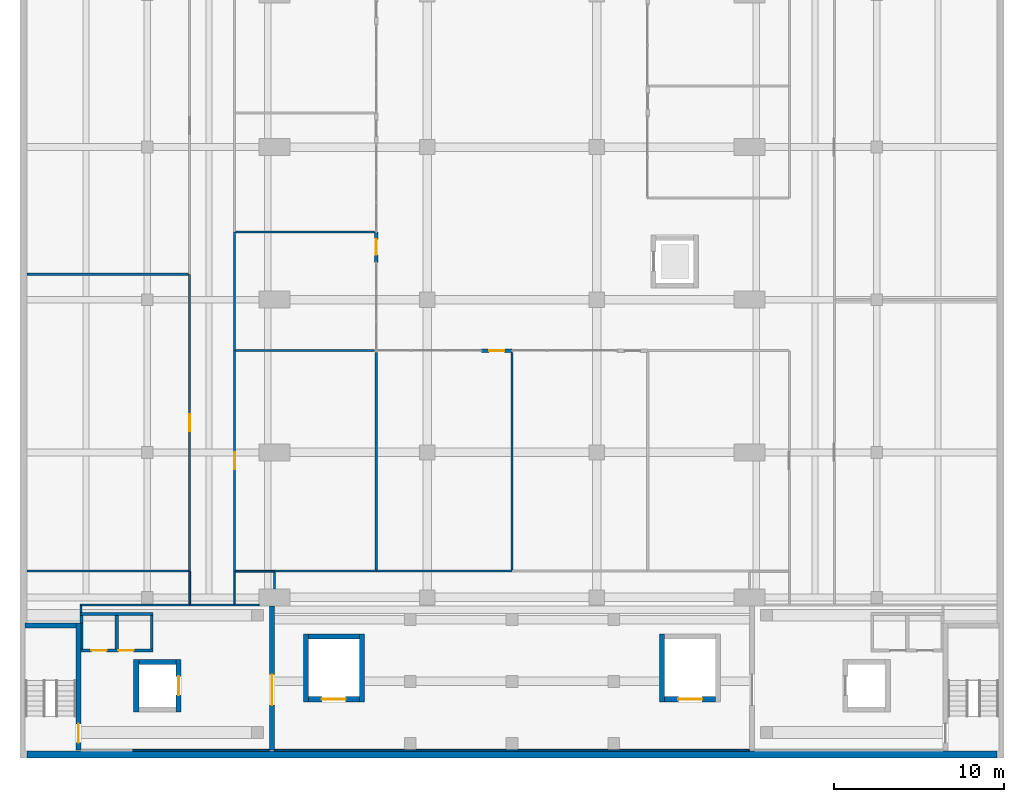
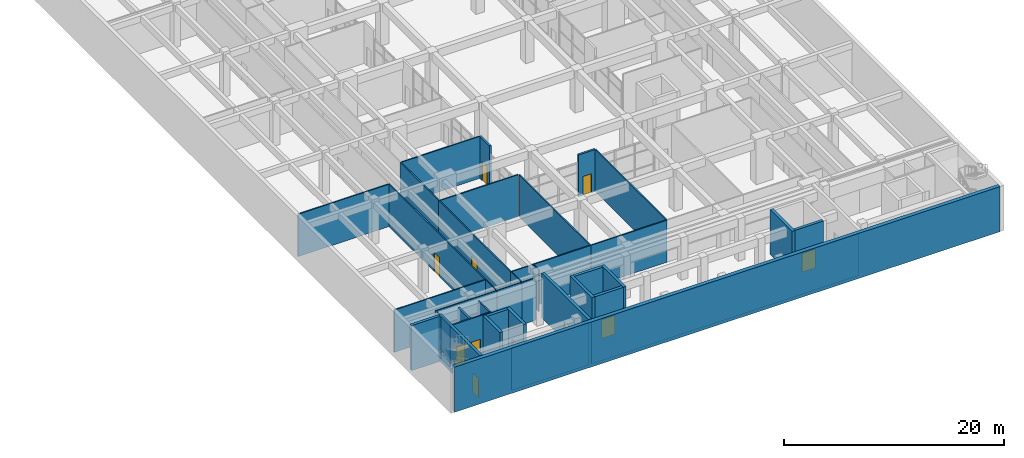
# One storey, part 17 of 29: 42 walls, 11 doors, 11 openings.
"""IFC4 building model written with IfcOpenShell, lengths in metres."""

from ifc_helpers import new_model, si_unit, direction, frame, frame_2d, origin, place, context, subcontext, project, spatial, rectangle, extrude, material, layer, layer_set, type_object, element, fill, save


model = new_model("IFC4")

# Units and contexts
model_context = context("Model", 3, precision=1e-05, world=origin(), true_north=direction((0.0, 1.0)))
body_context = subcontext(model_context, "Body", "Model", "MODEL_VIEW")
ifc_project = project(units=[si_unit("LENGTHUNIT", "METRE"), si_unit("AREAUNIT", "SQUARE_METRE"), si_unit("VOLUMEUNIT", "CUBIC_METRE"), si_unit("PLANEANGLEUNIT", "RADIAN"), si_unit("MASSUNIT", "GRAM", prefix="KILO")], contexts=[model_context])

# Site, building, storey
site_placement = place(None, origin())
site = spatial("IfcSite", under=ifc_project, at=site_placement, CompositionType="ELEMENT")
building_placement = place(site_placement, origin())
building = spatial("IfcBuilding", under=site, at=building_placement, Name="Elmora Arch Market Hall", CompositionType="ELEMENT")
storey_placement = place(building_placement, frame((0.0, 0.0, -5.0)))
storey = spatial("IfcBuildingStorey", under=building, at=storey_placement, Name="LG", CompositionType="ELEMENT", Elevation=-5.0)

# Walls
ifc_material_1 = material(Name="Concrete C40/50", Category="concrete")
ifc_layer_1 = layer(ifc_material_1, 0.39990234375)
ifc_layer_set_1 = layer_set([ifc_layer_1], Name="Concrete C40/50")
wall_type_1 = type_object("IfcWallType", Name="Basement wall 400", PredefinedType="SOLIDWALL", material=ifc_layer_set_1)
wall_1_placement = place(storey_placement, frame((0.39990234375, 18.199951171875, 0.0), z_axis=(0.0, 0.0, 1.0), x_axis=(1.0, 0.0, 0.0)))
element("IfcWall", 1, at=wall_1_placement, inside=storey, type_object=wall_type_1, Name="Basement wall S LG", PredefinedType="SOLIDWALL", context=body_context, shape_type="SweptSolid", body=[
    extrude(rectangle(XDim=57.2001953125, YDim=0.39990234375, at=frame_2d((28.60009765625, 0.0))), origin(), (0.0, 0.0, 1.0), 5.0),
])
ifc_material_2 = material(Name="Blockwork", Category="masonry")
ifc_layer_2 = layer(ifc_material_2, 0.10009765625)
ifc_layer_set_2 = layer_set([ifc_layer_2], Name="Blockwork")
wall_type_2 = type_object("IfcWallType", Name="Blockwork partition 100 EI 120", PredefinedType="PARTITIONING", material=ifc_layer_set_2)
wall_2_placement = place(storey_placement, frame((3.64990234375, 24.39990234375, 0.0), z_axis=(0.0, 0.0, 1.0), x_axis=(0.0, 1.0, 0.0)))
element("IfcWall", 2, at=wall_2_placement, inside=storey, type_object=wall_type_2, Name="Riser wall LG 04", PredefinedType="PARTITIONING", context=body_context, shape_type="SweptSolid", body=[
    extrude(rectangle(XDim=1.550048828125, YDim=0.10009765625, at=frame_2d((0.77490234375, 0.0))), origin(), (0.0, 0.0, 1.0), 4.699951171875),
])
ifc_material_3 = material(Name="Blockwork", Category="masonry")
ifc_layer_3 = layer(ifc_material_3, 0.14990234375)
ifc_layer_set_3 = layer_set([ifc_layer_3], Name="Blockwork")
wall_type_3 = type_object("IfcWallType", Name="Blockwork partition 150 EI 120", PredefinedType="PARTITIONING", material=ifc_layer_set_3)
wall_3_placement = place(storey_placement, frame((3.625, 25.949951171875, 0.0), z_axis=(0.0, 0.0, 1.0), x_axis=(0.0, 1.0, 0.0)))
element("IfcWall", 3, at=wall_3_placement, inside=storey, type_object=wall_type_3, Name="Riser wall LG 01", PredefinedType="PARTITIONING", context=body_context, shape_type="SweptSolid", body=[
    extrude(rectangle(XDim=0.449951171875, YDim=0.14990234375, at=frame_2d((0.22509765625, 0.0))), origin(), (0.0, 0.0, 1.0), 4.699951171875),
])
wall_4_placement = place(storey_placement, frame((3.550048828125, 26.47509765625, 0.0), z_axis=(0.0, 0.0, 1.0), x_axis=(1.0, 0.0, 0.0)))
element("IfcWall", 4, at=wall_4_placement, inside=storey, type_object=wall_type_3, Name="Riser wall LG 02", PredefinedType="PARTITIONING", context=body_context, shape_type="SweptSolid", body=[
    extrude(rectangle(XDim=4.300048828125, YDim=0.14990234375, at=frame_2d((2.14990234375, 0.0))), origin(), (0.0, 0.0, 1.0), 3.300048828125),
])

# Wall, openings, doors
wall_5_placement = place(storey_placement, frame((3.60009765625, 24.324951171875, 0.0), z_axis=(0.0, 0.0, 1.0), x_axis=(1.0, 0.0, 0.0)))
wall_5 = element("IfcWall", 5, at=wall_5_placement, inside=storey, type_object=wall_type_3, Name="Riser wall LG 03", PredefinedType="PARTITIONING", context=body_context, shape_type="SweptSolid", body=[
    extrude(rectangle(XDim=4.25, YDim=0.14990234375, at=frame_2d((2.125, 0.0))), origin(), (0.0, 0.0, 1.0), 4.699951171875),
])
opening_1_placement = place(wall_5_placement, frame((0.60009765625, 0.0, 0.0)))
opening_1 = element("IfcOpeningElement", 6, at=opening_1_placement, cuts=wall_5, Name="Opening D-LG-003", PredefinedType="OPENING", context=body_context, shape_type="SweptSolid", body=[
    extrude(rectangle(XDim=0.89990234375, YDim=2.10009765625, at=frame_2d((0.449951171875, 1.050048828125))), frame((0.0, 0.0849609375, 0.0), z_axis=(0.0, -1.0, 0.0), x_axis=(1.0, 0.0, 0.0)), (0.0, 0.0, 1.0), 0.169921875),
])
opening_2_placement = place(wall_5_placement, frame((2.199951171875, 0.0, 0.0)))
opening_2 = element("IfcOpeningElement", 7, at=opening_2_placement, cuts=wall_5, Name="Opening D-LG-004", PredefinedType="OPENING", context=body_context, shape_type="SweptSolid", body=[
    extrude(rectangle(XDim=0.89990234375, YDim=2.10009765625, at=frame_2d((0.449951171875, 1.050048828125))), frame((0.0, 0.0849609375, 0.0), z_axis=(0.0, -1.0, 0.0), x_axis=(1.0, 0.0, 0.0)), (0.0, 0.0, 1.0), 0.169921875),
])
ifc_material_4 = material(Name="Steel ASTM A653 galvanised", Category="steel")
door_type_1 = type_object("IfcDoorType", Name="Door 900 x 2100 FD90", OperationType="SINGLE_SWING_LEFT", PredefinedType="DOOR", material=ifc_material_4)
door_1_placement = place(opening_1_placement, origin())
door_1 = element("IfcDoor", 8, at=door_1_placement, inside=storey, type_object=door_type_1, Name="Riser access door D-LG-003", OperationType="SINGLE_SWING_LEFT", OverallHeight=2.10009765625, OverallWidth=0.89990234375, PredefinedType="DOOR", context=body_context, shape_type="SweptSolid", body=[
    extrude(rectangle(XDim=0.89990234375, YDim=2.10009765625, at=frame_2d((0.449951171875, 1.050048828125))), frame((0.0, 0.02490234375, 0.0), z_axis=(0.0, -1.0, 0.0), x_axis=(1.0, 0.0, 0.0)), (0.0, 0.0, 1.0), 0.050048828125),
])
fill(opening_1, door_1)
door_2_placement = place(opening_2_placement, origin())
door_2 = element("IfcDoor", 9, at=door_2_placement, inside=storey, type_object=door_type_1, Name="Riser access door D-LG-004", OperationType="SINGLE_SWING_LEFT", OverallHeight=2.10009765625, OverallWidth=0.89990234375, PredefinedType="DOOR", context=body_context, shape_type="SweptSolid", body=[
    extrude(rectangle(XDim=0.89990234375, YDim=2.10009765625, at=frame_2d((0.449951171875, 1.050048828125))), frame((0.0, 0.02490234375, 0.0), z_axis=(0.0, -1.0, 0.0), x_axis=(1.0, 0.0, 0.0)), (0.0, 0.0, 1.0), 0.050048828125),
])
fill(opening_2, door_2)

# Walls
wall_6_placement = place(storey_placement, frame((7.77490234375, 24.39990234375, 0.0), z_axis=(0.0, 0.0, 1.0), x_axis=(0.0, 1.0, 0.0)))
element("IfcWall", 10, at=wall_6_placement, inside=storey, type_object=wall_type_3, Name="Riser wall LG 06", PredefinedType="PARTITIONING", context=body_context, shape_type="SweptSolid", body=[
    extrude(rectangle(XDim=2.0, YDim=0.14990234375, at=frame_2d((1.0, 0.0))), origin(), (0.0, 0.0, 1.0), 4.699951171875),
])
ifc_material_5 = material(Name="Blockwork", Category="masonry")
ifc_layer_4 = layer(ifc_material_5, 0.199951171875)
ifc_layer_set_4 = layer_set([ifc_layer_4], Name="Blockwork")
wall_type_4 = type_object("IfcWallType", Name="Blockwork partition 200 EI 120", PredefinedType="PARTITIONING", material=ifc_layer_set_4)
wall_7_placement = place(storey_placement, frame((5.699951171875, 24.39990234375, 0.0), z_axis=(0.0, 0.0, 1.0), x_axis=(0.0, 1.0, 0.0)))
element("IfcWall", 11, at=wall_7_placement, inside=storey, type_object=wall_type_4, Name="Riser wall LG 05", PredefinedType="PARTITIONING", context=body_context, shape_type="SweptSolid", body=[
    extrude(rectangle(XDim=2.0, YDim=0.199951171875, at=frame_2d((1.0, 0.0))), origin(), (0.0, 0.0, 1.0), 4.699951171875),
])

# Wall, opening, door
ifc_material_6 = material(Name="Concrete C40/50", Category="concrete")
ifc_layer_5 = layer(ifc_material_6, 0.199951171875)
ifc_layer_set_5 = layer_set([ifc_layer_5], Name="Concrete C40/50")
wall_type_5 = type_object("IfcWallType", Name="Concrete shopfront pier 200", PredefinedType="PARTITIONING", material=ifc_layer_set_5)
wall_8_placement = place(storey_placement, frame((21.0, 47.199951171875, 0.0), z_axis=(0.0, 0.0, 1.0), x_axis=(0.0, 1.0, 0.0)))
wall_8 = element("IfcWall", 12, at=wall_8_placement, inside=storey, type_object=wall_type_5, Name="Lower ground shopfront pier W1", PredefinedType="PARTITIONING", context=body_context, shape_type="SweptSolid", body=[
    extrude(rectangle(XDim=1.800048828125, YDim=0.199951171875, at=frame_2d((0.89990234375, 0.0))), origin(), (0.0, 0.0, 1.0), 4.64990234375),
])
opening_3_placement = place(wall_8_placement, frame((0.449951171875, 0.0, 0.0)))
opening_3 = element("IfcOpeningElement", 13, at=opening_3_placement, cuts=wall_8, Name="Opening SD-LG-W1", PredefinedType="OPENING", context=body_context, shape_type="SweptSolid", body=[
    extrude(rectangle(XDim=0.89990234375, YDim=2.10009765625, at=frame_2d((0.449951171875, 1.050048828125))), frame((0.0, 0.10986328125, 0.0), z_axis=(0.0, -1.0, 0.0), x_axis=(1.0, 0.0, 0.0)), (0.0, 0.0, 1.0), 0.219970703125),
])
ifc_material_7 = material(Name="Glazed aluminium", Category="aluminium")
door_type_2 = type_object("IfcDoorType", Name="Lower ground shop door 900x2100", OperationType="SINGLE_SWING_LEFT", PredefinedType="DOOR", material=ifc_material_7)
door_3_placement = place(opening_3_placement, origin())
door_3 = element("IfcDoor", 14, at=door_3_placement, inside=storey, type_object=door_type_2, Name="Lower ground shop door W1", OperationType="SINGLE_SWING_RIGHT", OverallHeight=2.10009765625, OverallWidth=0.89990234375, PredefinedType="DOOR", context=body_context, shape_type="SweptSolid", body=[
    extrude(rectangle(XDim=0.89990234375, YDim=2.10009765625, at=frame_2d((0.449951171875, 1.050048828125))), frame((0.0, 0.02490234375, 0.0), z_axis=(0.0, -1.0, 0.0), x_axis=(1.0, 0.0, 0.0)), (0.0, 0.0, 1.0), 0.050048828125),
])
fill(opening_3, door_3)

wall_9_placement = place(storey_placement, frame((29.0, 42.0, 0.0), z_axis=(0.0, 0.0, 1.0), x_axis=(-1.0, 0.0, 0.0)))
wall_9 = element("IfcWall", 15, at=wall_9_placement, inside=storey, type_object=wall_type_5, Name="Lower ground shopfront pier S1", PredefinedType="PARTITIONING", context=body_context, shape_type="SweptSolid", body=[
    extrude(rectangle(XDim=1.800048828125, YDim=0.199951171875, at=frame_2d((0.89990234375, 0.0))), origin(), (0.0, 0.0, 1.0), 4.64990234375),
])
opening_4_placement = place(wall_9_placement, frame((0.449951171875, 0.0, 0.0)))
opening_4 = element("IfcOpeningElement", 16, at=opening_4_placement, cuts=wall_9, Name="Opening SD-LG-S1", PredefinedType="OPENING", context=body_context, shape_type="SweptSolid", body=[
    extrude(rectangle(XDim=0.89990234375, YDim=2.10009765625, at=frame_2d((0.449951171875, 1.050048828125))), frame((0.0, 0.10986328125, 0.0), z_axis=(0.0, -1.0, 0.0), x_axis=(1.0, 0.0, 0.0)), (0.0, 0.0, 1.0), 0.219970703125),
])
door_4_placement = place(opening_4_placement, origin())
door_4 = element("IfcDoor", 17, at=door_4_placement, inside=storey, type_object=door_type_2, Name="Lower ground shop door S1", OperationType="SINGLE_SWING_LEFT", OverallHeight=2.10009765625, OverallWidth=0.89990234375, PredefinedType="DOOR", context=body_context, shape_type="SweptSolid", body=[
    extrude(rectangle(XDim=0.89990234375, YDim=2.10009765625, at=frame_2d((0.449951171875, 1.050048828125))), frame((0.0, 0.02490234375, 0.0), z_axis=(0.0, -1.0, 0.0), x_axis=(1.0, 0.0, 0.0)), (0.0, 0.0, 1.0), 0.050048828125),
])
fill(opening_4, door_4)

ifc_material_8 = material(Name="Concrete C40/50", Category="concrete")
ifc_layer_6 = layer(ifc_material_8, 0.300048828125)
ifc_layer_set_6 = layer_set([ifc_layer_6], Name="Concrete C40/50")
wall_type_6 = type_object("IfcWallType", Name="Dock wall 300", PredefinedType="SOLIDWALL", material=ifc_layer_set_6)
wall_10_placement = place(storey_placement, frame((14.85009765625, 18.449951171875, 0.0), z_axis=(0.0, 0.0, 1.0), x_axis=(0.0, 1.0, 0.0)))
wall_10 = element("IfcWall", 18, at=wall_10_placement, inside=storey, type_object=wall_type_6, Name="Dock wall W LG", PredefinedType="SOLIDWALL", context=body_context, shape_type="SweptSolid", body=[
    extrude(rectangle(XDim=8.5, YDim=0.300048828125, at=frame_2d((4.25, 0.0))), origin(), (0.0, 0.0, 1.0), 5.0),
])
opening_5_placement = place(wall_10_placement, frame((2.64990234375, 0.0, 0.0)))
opening_5 = element("IfcOpeningElement", 19, at=opening_5_placement, cuts=wall_10, Name="Opening D-LG-001", PredefinedType="OPENING", context=body_context, shape_type="SweptSolid", body=[
    extrude(rectangle(XDim=1.800048828125, YDim=2.10009765625, at=frame_2d((0.89990234375, 1.050048828125))), frame((0.0, 0.159912109375, 0.0), z_axis=(0.0, -1.0, 0.0), x_axis=(1.0, 0.0, 0.0)), (0.0, 0.0, 1.0), 0.320068359375),
])
ifc_material_9 = material(Name="Steel ASTM A653 galvanised", Category="steel")
door_type_3 = type_object("IfcDoorType", Name="Double door 1800 x 2100", OperationType="DOUBLE_DOOR_SINGLE_SWING", PredefinedType="DOOR", material=ifc_material_9)
door_5_placement = place(opening_5_placement, origin())
door_5 = element("IfcDoor", 20, at=door_5_placement, inside=storey, type_object=door_type_3, Name="D-LG-001", OperationType="DOUBLE_DOOR_SINGLE_SWING", OverallHeight=2.10009765625, OverallWidth=1.800048828125, PredefinedType="DOOR", context=body_context, shape_type="SweptSolid", body=[
    extrude(rectangle(XDim=1.800048828125, YDim=2.10009765625, at=frame_2d((0.89990234375, 1.050048828125))), frame((0.0, 0.02490234375, 0.0), z_axis=(0.0, -1.0, 0.0), x_axis=(1.0, 0.0, 0.0)), (0.0, 0.0, 1.0), 0.050048828125),
])
fill(opening_5, door_5)

# Wall
ifc_material_10 = material(Name="Concrete C40/50", Category="concrete")
ifc_layer_7 = layer(ifc_material_10, 0.300048828125)
ifc_layer_set_7 = layer_set([ifc_layer_7], Name="Concrete C40/50")
wall_type_7 = type_object("IfcWallType", Name="Lift shaft wall 300", PredefinedType="SHEAR", material=ifc_layer_set_7)
wall_11_placement = place(storey_placement, frame((6.85009765625, 20.699951171875, 0.0), z_axis=(0.0, 0.0, 1.0), x_axis=(0.0, 1.0, 0.0)))
element("IfcWall", 21, at=wall_11_placement, inside=storey, type_object=wall_type_7, Name="Lift shaft wall WL1 W LG", PredefinedType="SHEAR", context=body_context, shape_type="SweptSolid", body=[
    extrude(rectangle(XDim=3.10009765625, YDim=0.300048828125, at=frame_2d((1.550048828125, 0.0))), origin(), (0.0, 0.0, 1.0), 5.0),
])

# Wall, opening, door
wall_12_placement = place(storey_placement, frame((9.35009765625, 20.699951171875, 0.0), z_axis=(0.0, 0.0, 1.0), x_axis=(0.0, 1.0, 0.0)))
wall_12 = element("IfcWall", 22, at=wall_12_placement, inside=storey, type_object=wall_type_7, Name="Lift shaft wall WL1 E LG", PredefinedType="SHEAR", context=body_context, shape_type="SweptSolid", body=[
    extrude(rectangle(XDim=3.10009765625, YDim=0.300048828125, at=frame_2d((1.550048828125, 0.0))), origin(), (0.0, 0.0, 1.0), 5.0),
])
opening_6_placement = place(wall_12_placement, frame((1.0, 0.0, 0.0)))
opening_6 = element("IfcOpeningElement", 23, at=opening_6_placement, cuts=wall_12, Name="Opening LD-WL1-LG", PredefinedType="OPENING", context=body_context, shape_type="SweptSolid", body=[
    extrude(rectangle(XDim=1.10009765625, YDim=2.10009765625, at=frame_2d((0.550048828125, 1.050048828125))), frame((0.0, 0.159912109375, 0.0), z_axis=(0.0, -1.0, 0.0), x_axis=(1.0, 0.0, 0.0)), (0.0, 0.0, 1.0), 0.320068359375),
])
ifc_material_11 = material(Name="Stainless steel ASTM A240 Type 304", Category="steel")
door_type_4 = type_object("IfcDoorType", Name="Lift landing door 1100 x 2100 FD90", OperationType="SLIDING_TO_LEFT", PredefinedType="DOOR", material=ifc_material_11)
door_6_placement = place(opening_6_placement, origin())
door_6 = element("IfcDoor", 24, at=door_6_placement, inside=storey, type_object=door_type_4, Name="Landing door WL1 LG", OperationType="SLIDING_TO_LEFT", OverallHeight=2.10009765625, OverallWidth=1.10009765625, PredefinedType="DOOR", context=body_context, shape_type="SweptSolid", body=[
    extrude(rectangle(XDim=1.10009765625, YDim=2.10009765625, at=frame_2d((0.550048828125, 1.050048828125))), frame((0.0, 0.02490234375, 0.0), z_axis=(0.0, -1.0, 0.0), x_axis=(1.0, 0.0, 0.0)), (0.0, 0.0, 1.0), 0.050048828125),
])
fill(opening_6, door_6)

# Walls
wall_13_placement = place(storey_placement, frame((7.0, 23.64990234375, 0.0), z_axis=(0.0, 0.0, 1.0), x_axis=(1.0, 0.0, 0.0)))
element("IfcWall", 25, at=wall_13_placement, inside=storey, type_object=wall_type_7, Name="Lift shaft wall WL1 N LG", PredefinedType="SHEAR", context=body_context, shape_type="SweptSolid", body=[
    extrude(rectangle(XDim=2.199951171875, YDim=0.300048828125, at=frame_2d((1.10009765625, 0.0))), origin(), (0.0, 0.0, 1.0), 5.0),
])
for number, where, z_axis, x_axis, name in (
    (26, (16.85009765625, 21.300048828125, 0.0), (0.0, 0.0, 1.0), (0.0, 1.0, 0.0), "Lift shaft wall GL1 W LG"),
    (27, (20.14990234375, 21.300048828125, 0.0), (0.0, 0.0, 1.0), (0.0, 1.0, 0.0), "Lift shaft wall GL1 E LG"),
):
    element("IfcWall", number, at=place(storey_placement, frame(where, z_axis=z_axis, x_axis=x_axis)), inside=storey, type_object=wall_type_7, Name=name, PredefinedType="SHEAR", context=body_context, shape_type="SweptSolid", body=[
        extrude(rectangle(XDim=4.0, YDim=0.300048828125, at=frame_2d((2.0, 0.0))), origin(), (0.0, 0.0, 1.0), 5.0),
    ])

# Wall, opening, door
wall_14_placement = place(storey_placement, frame((17.0, 21.449951171875, 0.0), z_axis=(0.0, 0.0, 1.0), x_axis=(1.0, 0.0, 0.0)))
wall_14 = element("IfcWall", 28, at=wall_14_placement, inside=storey, type_object=wall_type_7, Name="Lift shaft wall GL1 S LG", PredefinedType="SHEAR", context=body_context, shape_type="SweptSolid", body=[
    extrude(rectangle(XDim=3.0, YDim=0.300048828125, at=frame_2d((1.5, 0.0))), origin(), (0.0, 0.0, 1.0), 5.0),
])
opening_7_placement = place(wall_14_placement, frame((0.800048828125, 0.0, 0.0)))
opening_7 = element("IfcOpeningElement", 29, at=opening_7_placement, cuts=wall_14, Name="Opening LD-GL1-LG", PredefinedType="OPENING", context=body_context, shape_type="SweptSolid", body=[
    extrude(rectangle(XDim=1.39990234375, YDim=2.10009765625, at=frame_2d((0.699951171875, 1.050048828125))), frame((0.0, 0.159912109375, 0.0), z_axis=(0.0, -1.0, 0.0), x_axis=(1.0, 0.0, 0.0)), (0.0, 0.0, 1.0), 0.320068359375),
])
ifc_material_12 = material(Name="Stainless steel ASTM A240 Type 304", Category="steel")
door_type_5 = type_object("IfcDoorType", Name="Lift landing door 1400 x 2100 FD90", OperationType="DOUBLE_DOOR_SLIDING", PredefinedType="DOOR", material=ifc_material_12)
door_7_placement = place(opening_7_placement, origin())
door_7 = element("IfcDoor", 30, at=door_7_placement, inside=storey, type_object=door_type_5, Name="Landing door GL1 LG", OperationType="DOUBLE_DOOR_SLIDING", OverallHeight=2.10009765625, OverallWidth=1.39990234375, PredefinedType="DOOR", context=body_context, shape_type="SweptSolid", body=[
    extrude(rectangle(XDim=1.39990234375, YDim=2.10009765625, at=frame_2d((0.699951171875, 1.050048828125))), frame((0.0, 0.02490234375, 0.0), z_axis=(0.0, -1.0, 0.0), x_axis=(1.0, 0.0, 0.0)), (0.0, 0.0, 1.0), 0.050048828125),
])
fill(opening_7, door_7)

# Walls
wall_15_placement = place(storey_placement, frame((17.0, 25.14990234375, 0.0), z_axis=(0.0, 0.0, 1.0), x_axis=(1.0, 0.0, 0.0)))
element("IfcWall", 31, at=wall_15_placement, inside=storey, type_object=wall_type_7, Name="Lift shaft wall GL1 N LG", PredefinedType="SHEAR", context=body_context, shape_type="SweptSolid", body=[
    extrude(rectangle(XDim=3.0, YDim=0.300048828125, at=frame_2d((1.5, 0.0))), origin(), (0.0, 0.0, 1.0), 5.0),
])
wall_16_placement = place(storey_placement, frame((37.85009765625, 21.300048828125, 0.0), z_axis=(0.0, 0.0, 1.0), x_axis=(0.0, 1.0, 0.0)))
element("IfcWall", 32, at=wall_16_placement, inside=storey, type_object=wall_type_7, Name="Lift shaft wall GL2 W LG", PredefinedType="SHEAR", context=body_context, shape_type="SweptSolid", body=[
    extrude(rectangle(XDim=4.0, YDim=0.300048828125, at=frame_2d((2.0, 0.0))), origin(), (0.0, 0.0, 1.0), 5.0),
])

# Wall, opening, door
wall_17_placement = place(storey_placement, frame((38.0, 21.449951171875, 0.0), z_axis=(0.0, 0.0, 1.0), x_axis=(1.0, 0.0, 0.0)))
wall_17 = element("IfcWall", 33, at=wall_17_placement, inside=storey, type_object=wall_type_7, Name="Lift shaft wall GL2 S LG", PredefinedType="SHEAR", context=body_context, shape_type="SweptSolid", body=[
    extrude(rectangle(XDim=3.0, YDim=0.300048828125, at=frame_2d((1.5, 0.0))), origin(), (0.0, 0.0, 1.0), 5.0),
])
opening_8_placement = place(wall_17_placement, frame((0.800048828125, 0.0, 0.0)))
opening_8 = element("IfcOpeningElement", 34, at=opening_8_placement, cuts=wall_17, Name="Opening LD-GL2-LG", PredefinedType="OPENING", context=body_context, shape_type="SweptSolid", body=[
    extrude(rectangle(XDim=1.39990234375, YDim=2.10009765625, at=frame_2d((0.699951171875, 1.050048828125))), frame((0.0, 0.159912109375, 0.0), z_axis=(0.0, -1.0, 0.0), x_axis=(1.0, 0.0, 0.0)), (0.0, 0.0, 1.0), 0.320068359375),
])
door_8_placement = place(opening_8_placement, origin())
door_8 = element("IfcDoor", 35, at=door_8_placement, inside=storey, type_object=door_type_5, Name="Landing door GL2 LG", OperationType="DOUBLE_DOOR_SLIDING", OverallHeight=2.10009765625, OverallWidth=1.39990234375, PredefinedType="DOOR", context=body_context, shape_type="SweptSolid", body=[
    extrude(rectangle(XDim=1.39990234375, YDim=2.10009765625, at=frame_2d((0.699951171875, 1.050048828125))), frame((0.0, 0.02490234375, 0.0), z_axis=(0.0, -1.0, 0.0), x_axis=(1.0, 0.0, 0.0)), (0.0, 0.0, 1.0), 0.050048828125),
])
fill(opening_8, door_8)

# Walls
ifc_material_13 = material(Name="Gypsum board on metal studs")
ifc_layer_8 = layer(ifc_material_13, 0.10009765625)
ifc_layer_set_8 = layer_set([ifc_layer_8], Name="Gypsum board on metal studs")
wall_type_8 = type_object("IfcWallType", Name="Partition 100", PredefinedType="PARTITIONING", material=ifc_layer_set_8)
wall_18_placement = place(storey_placement, frame((6.610107421875, 18.449951171875, 0.0), z_axis=(0.0, 0.0, 1.0), x_axis=(1.0, 0.0, 0.0)))
element("IfcWall", 36, at=wall_18_placement, inside=storey, type_object=wall_type_8, Name="Partition PT-LG-002", PredefinedType="PARTITIONING", context=body_context, shape_type="SweptSolid", body=[
    extrude(rectangle(XDim=8.08984375, YDim=0.10009765625, at=frame_2d((4.044921875, 0.0))), origin(), (0.0, 0.0, 1.0), 4.699951171875),
])
wall_19_placement = place(storey_placement, frame((15.0, 18.449951171875, 0.0), z_axis=(0.0, 0.0, 1.0), x_axis=(1.0, 0.0, 0.0)))
element("IfcWall", 37, at=wall_19_placement, inside=storey, type_object=wall_type_8, Name="Partition PT-LG-003", PredefinedType="PARTITIONING", context=body_context, shape_type="SweptSolid", body=[
    extrude(rectangle(XDim=28.0, YDim=0.10009765625, at=frame_2d((14.0, 0.0))), origin(), (0.0, 0.0, 1.0), 4.64990234375),
])
wall_20_placement = place(storey_placement, frame((3.550048828125, 27.0, 0.0), z_axis=(0.0, 0.0, 1.0), x_axis=(1.0, 0.0, 0.0)))
element("IfcWall", 38, at=wall_20_placement, inside=storey, type_object=wall_type_8, Name="Partition PT-LG-006", PredefinedType="PARTITIONING", context=body_context, shape_type="SweptSolid", body=[
    extrude(rectangle(XDim=6.449951171875, YDim=0.10009765625, at=frame_2d((3.22509765625, 0.0))), origin(), (0.0, 0.0, 1.0), 4.699951171875),
])
wall_21_placement = place(storey_placement, frame((10.0, 27.0, 0.0), z_axis=(0.0, 0.0, 1.0), x_axis=(1.0, 0.0, 0.0)))
element("IfcWall", 39, at=wall_21_placement, inside=storey, type_object=wall_type_8, Name="Partition PT-LG-007", PredefinedType="PARTITIONING", context=body_context, shape_type="SweptSolid", body=[
    extrude(rectangle(XDim=2.64990234375, YDim=0.10009765625, at=frame_2d((1.324951171875, 0.0))), origin(), (0.0, 0.0, 1.0), 4.699951171875),
])
wall_22_placement = place(storey_placement, frame((12.64990234375, 27.0, 0.0), z_axis=(0.0, 0.0, 1.0), x_axis=(1.0, 0.0, 0.0)))
element("IfcWall", 40, at=wall_22_placement, inside=storey, type_object=wall_type_8, Name="Partition PT-LG-008", PredefinedType="PARTITIONING", context=body_context, shape_type="SweptSolid", body=[
    extrude(rectangle(XDim=1.4501953125, YDim=0.10009765625, at=frame_2d((0.72509765625, 0.0))), origin(), (0.0, 0.0, 1.0), 4.699951171875),
])
wall_23_placement = place(storey_placement, frame((12.71240234375, 29.0, 0.0), z_axis=(0.0, 0.0, 1.0), x_axis=(1.0, 0.0, 0.0)))
element("IfcWall", 41, at=wall_23_placement, inside=storey, type_object=wall_type_8, Name="Partition PT-LG-014", PredefinedType="PARTITIONING", context=body_context, shape_type="SweptSolid", body=[
    extrude(rectangle(XDim=2.28759765625, YDim=0.10009765625, at=frame_2d((1.143798828125, 0.0))), origin(), (0.0, 0.0, 1.0), 4.64990234375),
])
wall_24_placement = place(storey_placement, frame((3.60009765625, 26.550048828125, 0.0), z_axis=(0.0, 0.0, 1.0), x_axis=(0.0, 1.0, 0.0)))
element("IfcWall", 42, at=wall_24_placement, inside=storey, type_object=wall_type_8, Name="Partition PT-LG-075", PredefinedType="PARTITIONING", context=body_context, shape_type="SweptSolid", body=[
    extrude(rectangle(XDim=0.39990234375, YDim=0.10009765625, at=frame_2d((0.199951171875, 0.0))), origin(), (0.0, 0.0, 1.0), 4.699951171875),
])
for number, where, z_axis, x_axis, name in (
    (43, (10.0, 27.050048828125, 0.0), (0.0, 0.0, 1.0), (0.0, 1.0, 0.0), "Partition PT-LG-077"),
    (44, (12.64990234375, 27.050048828125, 0.0), (0.0, 0.0, 1.0), (0.0, 1.0, 0.0), "Partition PT-LG-083"),
):
    element("IfcWall", number, at=place(storey_placement, frame(where, z_axis=z_axis, x_axis=x_axis)), inside=storey, type_object=wall_type_8, Name=name, PredefinedType="PARTITIONING", context=body_context, shape_type="SweptSolid", body=[
        extrude(rectangle(XDim=1.949951171875, YDim=0.10009765625, at=frame_2d((0.97509765625, 0.0))), origin(), (0.0, 0.0, 1.0), 4.699951171875),
    ])
wall_25_placement = place(storey_placement, frame((15.0, 27.949951171875, 0.0), z_axis=(0.0, 0.0, 1.0), x_axis=(0.0, 1.0, 0.0)))
element("IfcWall", 45, at=wall_25_placement, inside=storey, type_object=wall_type_8, Name="Partition PT-LG-093", PredefinedType="PARTITIONING", context=body_context, shape_type="SweptSolid", body=[
    extrude(rectangle(XDim=0.987548828125, YDim=0.10009765625, at=frame_2d((0.49365234375, 0.0))), origin(), (0.0, 0.0, 1.0), 4.64990234375),
])
ifc_material_14 = material(Name="Gypsum board on metal studs")
ifc_layer_9 = layer(ifc_material_14, 0.125)
ifc_layer_set_9 = layer_set([ifc_layer_9], Name="Gypsum board on metal studs")
wall_type_9 = type_object("IfcWallType", Name="Partition 125 EI 60", PredefinedType="PARTITIONING", material=ifc_layer_set_9)
wall_26_placement = place(storey_placement, frame((0.39990234375, 29.0, 0.0), z_axis=(0.0, 0.0, 1.0), x_axis=(1.0, 0.0, 0.0)))
element("IfcWall", 46, at=wall_26_placement, inside=storey, type_object=wall_type_9, Name="Partition PT-LG-013", PredefinedType="PARTITIONING", context=body_context, shape_type="SweptSolid", body=[
    extrude(rectangle(XDim=9.53759765625, YDim=0.125, at=frame_2d((4.768798828125, 0.0))), origin(), (0.0, 0.0, 1.0), 4.699951171875),
])
wall_27_placement = place(storey_placement, frame((15.0, 29.0, 0.0), z_axis=(0.0, 0.0, 1.0), x_axis=(1.0, 0.0, 0.0)))
element("IfcWall", 47, at=wall_27_placement, inside=storey, type_object=wall_type_9, Name="Partition PT-LG-015", PredefinedType="PARTITIONING", context=body_context, shape_type="SweptSolid", body=[
    extrude(rectangle(XDim=6.0, YDim=0.125, at=frame_2d((3.0, 0.0))), origin(), (0.0, 0.0, 1.0), 4.64990234375),
])
wall_28_placement = place(storey_placement, frame((21.0, 29.0, 0.0), z_axis=(0.0, 0.0, 1.0), x_axis=(1.0, 0.0, 0.0)))
element("IfcWall", 48, at=wall_28_placement, inside=storey, type_object=wall_type_9, Name="Partition PT-LG-016", PredefinedType="PARTITIONING", context=body_context, shape_type="SweptSolid", body=[
    extrude(rectangle(XDim=8.0, YDim=0.125, at=frame_2d((4.0, 0.0))), origin(), (0.0, 0.0, 1.0), 4.64990234375),
])
wall_29_placement = place(storey_placement, frame((12.71240234375, 42.0, 0.0), z_axis=(0.0, 0.0, 1.0), x_axis=(1.0, 0.0, 0.0)))
element("IfcWall", 49, at=wall_29_placement, inside=storey, type_object=wall_type_9, Name="Partition PT-LG-020", PredefinedType="PARTITIONING", context=body_context, shape_type="SweptSolid", body=[
    extrude(rectangle(XDim=8.1875, YDim=0.125, at=frame_2d((4.09375, 0.0))), origin(), (0.0, 0.0, 1.0), 4.64990234375),
])
wall_30_placement = place(storey_placement, frame((0.39990234375, 46.5, 0.0), z_axis=(0.0, 0.0, 1.0), x_axis=(1.0, 0.0, 0.0)))
element("IfcWall", 50, at=wall_30_placement, inside=storey, type_object=wall_type_9, Name="Partition PT-LG-023", PredefinedType="PARTITIONING", context=body_context, shape_type="SweptSolid", body=[
    extrude(rectangle(XDim=9.53759765625, YDim=0.125, at=frame_2d((4.768798828125, 0.0))), origin(), (0.0, 0.0, 1.0), 4.699951171875),
])
wall_31_placement = place(storey_placement, frame((12.71240234375, 49.0, 0.0), z_axis=(0.0, 0.0, 1.0), x_axis=(1.0, 0.0, 0.0)))
element("IfcWall", 51, at=wall_31_placement, inside=storey, type_object=wall_type_9, Name="Partition PT-LG-024", PredefinedType="PARTITIONING", context=body_context, shape_type="SweptSolid", body=[
    extrude(rectangle(XDim=8.1875, YDim=0.125, at=frame_2d((4.09375, 0.0))), origin(), (0.0, 0.0, 1.0), 4.64990234375),
])

# Wall, opening, door
wall_32_placement = place(storey_placement, frame((10.0, 29.0, 0.0), z_axis=(0.0, 0.0, 1.0), x_axis=(0.0, 1.0, 0.0)))
wall_32 = element("IfcWall", 52, at=wall_32_placement, inside=storey, type_object=wall_type_9, Name="Partition PT-LG-078", PredefinedType="PARTITIONING", context=body_context, shape_type="SweptSolid", body=[
    extrude(rectangle(XDim=17.5, YDim=0.125, at=frame_2d((8.75, 0.0))), origin(), (0.0, 0.0, 1.0), 4.699951171875),
])
opening_9_placement = place(wall_32_placement, frame((8.25, 0.0, 0.0)))
opening_9 = element("IfcOpeningElement", 53, at=opening_9_placement, cuts=wall_32, Name="Opening D-LG-010", PredefinedType="OPENING", context=body_context, shape_type="SweptSolid", body=[
    extrude(rectangle(XDim=1.0, YDim=2.10009765625, at=frame_2d((0.5, 1.050048828125))), frame((0.0, 0.072509765625, 0.0), z_axis=(0.0, -1.0, 0.0), x_axis=(1.0, 0.0, 0.0)), (0.0, 0.0, 1.0), 0.14501953125),
])
ifc_material_15 = material(Name="Steel ASTM A653 galvanised", Category="steel")
door_type_6 = type_object("IfcDoorType", Name="Door 1000 x 2100 FD45", OperationType="SINGLE_SWING_LEFT", PredefinedType="DOOR", material=ifc_material_15)
door_9_placement = place(opening_9_placement, origin())
door_9 = element("IfcDoor", 54, at=door_9_placement, inside=storey, type_object=door_type_6, Name="D-LG-010", OperationType="SINGLE_SWING_LEFT", OverallHeight=2.10009765625, OverallWidth=1.0, PredefinedType="DOOR", context=body_context, shape_type="SweptSolid", body=[
    extrude(rectangle(XDim=1.0, YDim=2.10009765625, at=frame_2d((0.5, 1.050048828125))), frame((0.0, 0.02490234375, 0.0), z_axis=(0.0, -1.0, 0.0), x_axis=(1.0, 0.0, 0.0)), (0.0, 0.0, 1.0), 0.050048828125),
])
fill(opening_9, door_9)

wall_33_placement = place(storey_placement, frame((12.64990234375, 29.0, 0.0), z_axis=(0.0, 0.0, 1.0), x_axis=(0.0, 1.0, 0.0)))
wall_33 = element("IfcWall", 55, at=wall_33_placement, inside=storey, type_object=wall_type_9, Name="Partition PT-LG-084", PredefinedType="PARTITIONING", context=body_context, shape_type="SweptSolid", body=[
    extrude(rectangle(XDim=13.0, YDim=0.125, at=frame_2d((6.5, 0.0))), origin(), (0.0, 0.0, 1.0), 4.64990234375),
])
opening_10_placement = place(wall_33_placement, frame((6.0, 0.0, 0.0)))
opening_10 = element("IfcOpeningElement", 56, at=opening_10_placement, cuts=wall_33, Name="Opening D-LG-007", PredefinedType="OPENING", context=body_context, shape_type="SweptSolid", body=[
    extrude(rectangle(XDim=1.0, YDim=2.10009765625, at=frame_2d((0.5, 1.050048828125))), frame((0.0, 0.072509765625, 0.0), z_axis=(0.0, -1.0, 0.0), x_axis=(1.0, 0.0, 0.0)), (0.0, 0.0, 1.0), 0.14501953125),
])
door_10_placement = place(opening_10_placement, frame((1.0, 0.0, 0.0), z_axis=(0.0, 0.0, 1.0), x_axis=(-1.0, 0.0, 0.0)))
door_10 = element("IfcDoor", 57, at=door_10_placement, inside=storey, type_object=door_type_6, Name="D-LG-007", OperationType="SINGLE_SWING_LEFT", OverallHeight=2.10009765625, OverallWidth=1.0, PredefinedType="DOOR", context=body_context, shape_type="SweptSolid", body=[
    extrude(rectangle(XDim=1.0, YDim=2.10009765625, at=frame_2d((0.5, 1.050048828125))), frame((0.0, 0.02490234375, 0.0), z_axis=(0.0, -1.0, 0.0), x_axis=(1.0, 0.0, 0.0)), (0.0, 0.0, 1.0), 0.050048828125),
])
fill(opening_10, door_10)

# Walls
wall_34_placement = place(storey_placement, frame((12.64990234375, 42.0, 0.0), z_axis=(0.0, 0.0, 1.0), x_axis=(0.0, 1.0, 0.0)))
element("IfcWall", 58, at=wall_34_placement, inside=storey, type_object=wall_type_9, Name="Partition PT-LG-085", PredefinedType="PARTITIONING", context=body_context, shape_type="SweptSolid", body=[
    extrude(rectangle(XDim=7.0, YDim=0.125, at=frame_2d((3.5, 0.0))), origin(), (0.0, 0.0, 1.0), 4.64990234375),
])
for number, where, z_axis, x_axis, name in (
    (59, (21.0, 29.0625, 0.0), (0.0, 0.0, 1.0), (0.0, 1.0, 0.0), "Partition PT-LG-094"),
    (60, (29.0, 29.0625, 0.0), (0.0, 0.0, 1.0), (0.0, 1.0, 0.0), "Partition PT-LG-096"),
):
    element("IfcWall", number, at=place(storey_placement, frame(where, z_axis=z_axis, x_axis=x_axis)), inside=storey, type_object=wall_type_9, Name=name, PredefinedType="PARTITIONING", context=body_context, shape_type="SweptSolid", body=[
        extrude(rectangle(XDim=12.83740234375, YDim=0.125, at=frame_2d((6.418701171875, 0.0))), origin(), (0.0, 0.0, 1.0), 4.64990234375),
    ])

# Wall, opening, door
ifc_material_16 = material(Name="Concrete C40/50", Category="concrete")
ifc_layer_10 = layer(ifc_material_16, 0.300048828125)
ifc_layer_set_10 = layer_set([ifc_layer_10], Name="Concrete C40/50")
wall_type_10 = type_object("IfcWallType", Name="Stair wall 300", PredefinedType="SHEAR", material=ifc_layer_set_10)
wall_35_placement = place(storey_placement, frame((3.449951171875, 18.449951171875, 0.0), z_axis=(0.0, 0.0, 1.0), x_axis=(0.0, 1.0, 0.0)))
wall_35 = element("IfcWall", 61, at=wall_35_placement, inside=storey, type_object=wall_type_10, Name="Stair wall ST-WS E LG", PredefinedType="SHEAR", context=body_context, shape_type="SweptSolid", body=[
    extrude(rectangle(XDim=7.5, YDim=0.300048828125, at=frame_2d((3.75, 0.0))), origin(), (0.0, 0.0, 1.0), 5.0),
])
opening_11_placement = place(wall_35_placement, frame((0.449951171875, 0.0, 0.0)))
opening_11 = element("IfcOpeningElement", 62, at=opening_11_placement, cuts=wall_35, Name="Opening ST-WS-LG", PredefinedType="OPENING", context=body_context, shape_type="SweptSolid", body=[
    extrude(rectangle(XDim=1.10009765625, YDim=2.10009765625, at=frame_2d((0.550048828125, 1.050048828125))), frame((0.0, 0.159912109375, 0.0), z_axis=(0.0, -1.0, 0.0), x_axis=(1.0, 0.0, 0.0)), (0.0, 0.0, 1.0), 0.320068359375),
])
ifc_material_17 = material(Name="Steel ASTM A653 galvanised", Category="steel")
door_type_7 = type_object("IfcDoorType", Name="Stair door 1100 x 2100 FD90", OperationType="SINGLE_SWING_LEFT", PredefinedType="DOOR", material=ifc_material_17)
door_11_placement = place(opening_11_placement, origin())
door_11 = element("IfcDoor", 63, at=door_11_placement, inside=storey, type_object=door_type_7, Name="Stair door ST-WS LG", OperationType="SINGLE_SWING_LEFT", OverallHeight=2.10009765625, OverallWidth=1.10009765625, PredefinedType="DOOR", context=body_context, shape_type="SweptSolid", body=[
    extrude(rectangle(XDim=1.10009765625, YDim=2.10009765625, at=frame_2d((0.550048828125, 1.050048828125))), frame((0.0, 0.02490234375, 0.0), z_axis=(0.0, -1.0, 0.0), x_axis=(1.0, 0.0, 0.0)), (0.0, 0.0, 1.0), 0.050048828125),
])
fill(opening_11, door_11)

# Wall
wall_36_placement = place(storey_placement, frame((0.300048828125, 25.800048828125, 0.0), z_axis=(0.0, 0.0, 1.0), x_axis=(1.0, 0.0, 0.0)))
element("IfcWall", 64, at=wall_36_placement, inside=storey, type_object=wall_type_10, Name="Stair wall ST-WS N LG", PredefinedType="SHEAR", context=body_context, shape_type="SweptSolid", body=[
    extrude(rectangle(XDim=3.0, YDim=0.300048828125, at=frame_2d((1.5, 0.0))), origin(), (0.0, 0.0, 1.0), 5.0),
])

save(model, "model.ifc")
